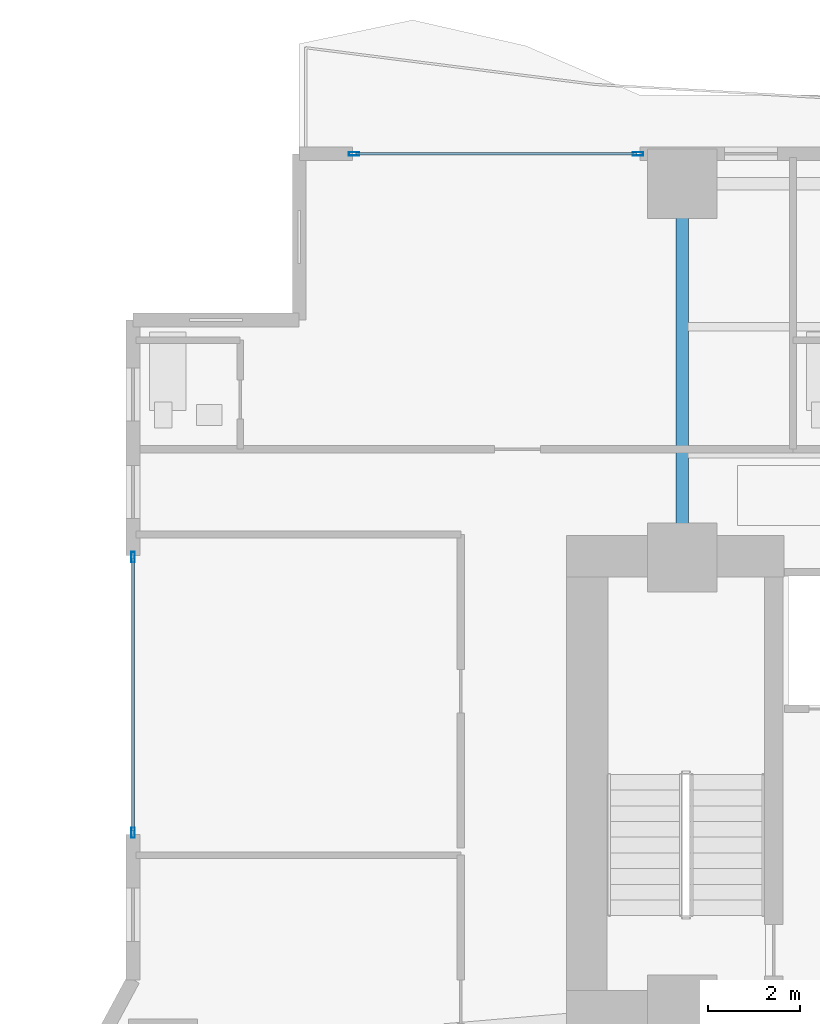
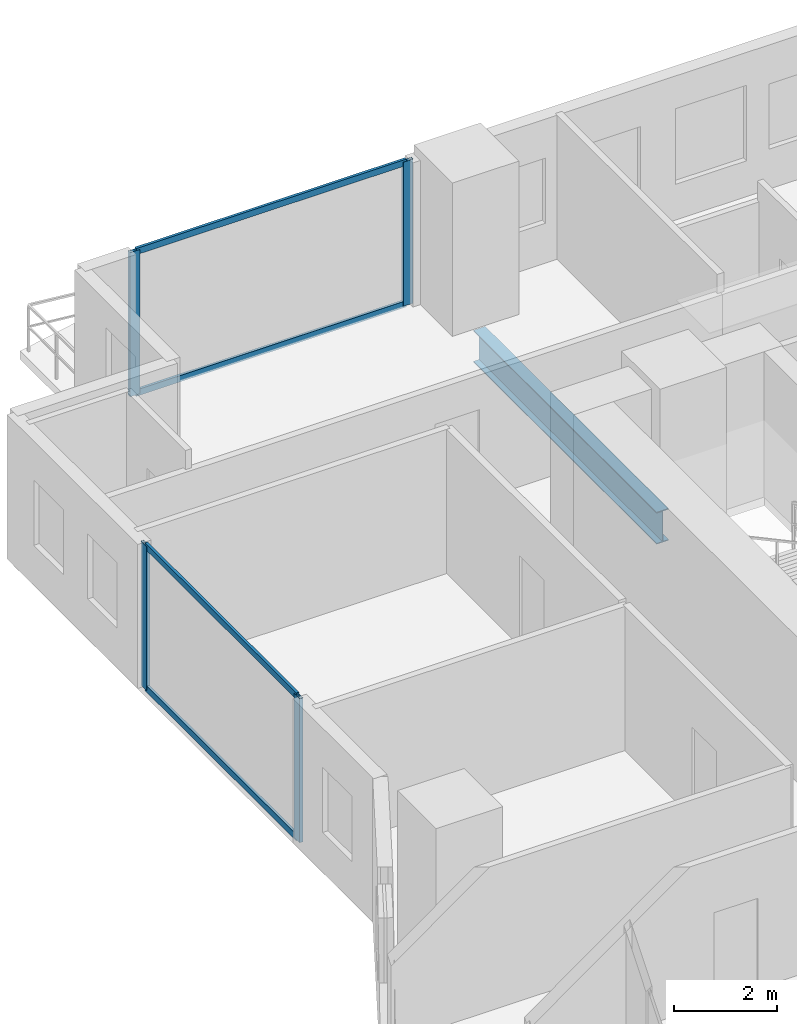
# One storey, part 13 of 28: 8 members, 1 beam, 2 elements without a shape of their own.
"""IFC4 building model written with IfcOpenShell, lengths in metres."""

import ifcopenshell
import ifcopenshell.guid

model = None  # the IFC model being written
_history = None  # IfcOwnerHistory: only IFC2X3 demands one
_inside = {}  # id of a spatial element -> (the spatial element, [elements in it])
_under = {}  # id of a project, library or spatial element -> (it, [spatial elements below it])
_declared = {}  # id of a project -> (the project, [libraries it declares])
_typed = {}  # id of a type object -> (the type object, [elements of that type])
_made_of = {}  # id of a material, layer set ... -> (it, [elements and type objects made of it])


def new_model(schema):
    """Start an empty IFC model of exactly this schema.

    Asked for "IFC4X3", IfcOpenShell would pick the latest addendum, in which some entities
    have other attributes; the version numbers below select the first issue.
    IFC2X3 requires an IfcOwnerHistory on every rooted entity: one is made here for all.
    """
    global model, _history
    if schema == "IFC4X3":
        model = ifcopenshell.file(schema_version=(4, 3, 0, 0))
    else:
        model = ifcopenshell.file(schema=schema)
    _inside.clear()
    _under.clear()
    _declared.clear()
    _typed.clear()
    _made_of.clear()
    _history = None
    if model.schema == "IFC2X3":
        org = make("IfcOrganization", Name="unknown")
        user = make(
            "IfcPersonAndOrganization",
            ThePerson=make("IfcPerson", FamilyName="unknown"),
            TheOrganization=org,
        )
        app = make(
            "IfcApplication",
            ApplicationDeveloper=org,
            Version="unknown",
            ApplicationFullName="unknown",
            ApplicationIdentifier="unknown",
        )
        _history = make(
            "IfcOwnerHistory",
            OwningUser=user,
            OwningApplication=app,
            ChangeAction="ADDED",
            CreationDate=0,
        )
    return model


def make(cls, **values):
    """One entity of the class cls with the attributes given. An attribute that is None is left unset."""
    return model.create_entity(
        cls, **{name: value for name, value in values.items() if value is not None}
    )


def rooted(cls, **values):
    """An entity with a GlobalId (a new one), such as an element, a storey or a relation."""
    return make(cls, GlobalId=ifcopenshell.guid.new(), OwnerHistory=_history, **values)


def si_unit(unit_type, name, prefix=None):
    """IfcSIUnit, for example si_unit("LENGTHUNIT", "METRE", prefix="MILLI")."""
    return make("IfcSIUnit", UnitType=unit_type, Prefix=prefix, Name=name)


def assignment(units):
    """IfcUnitAssignment: the units of a project."""
    return None if units is None else make("IfcUnitAssignment", Units=units)


def point(xyz):
    """IfcCartesianPoint."""
    return None if xyz is None else make("IfcCartesianPoint", Coordinates=xyz)


def direction(xyz):
    """IfcDirection."""
    return None if xyz is None else make("IfcDirection", DirectionRatios=xyz)


def frame(location, z_axis=None, x_axis=None):
    """IfcAxis2Placement3D, a coordinate frame: its origin and axes. An axis left out is left unset."""
    return make(
        "IfcAxis2Placement3D",
        Location=point(location),
        Axis=direction(z_axis),
        RefDirection=direction(x_axis),
    )


def frame_2d(location, x_axis=None):
    """IfcAxis2Placement2D, a coordinate frame in the plane: its origin and x axis."""
    return make(
        "IfcAxis2Placement2D", Location=point(location), RefDirection=direction(x_axis)
    )


def origin():
    """The frame at (0, 0, 0) with its axes left unset."""
    return frame((0.0, 0.0, 0.0))


def origin_2d():
    """The frame at (0, 0) in the plane with its x axis left unset."""
    return frame_2d((0.0, 0.0))


def place(relative_to, where):
    """IfcLocalPlacement: puts the frame where relative to a parent placement (None: the world)."""
    return make(
        "IfcLocalPlacement", PlacementRelTo=relative_to, RelativePlacement=where
    )


def context(
    kind, dimensions, precision=None, world=None, true_north=None, identifier=None
):
    """IfcGeometricRepresentationContext, for example the 3D "Model" context."""
    return make(
        "IfcGeometricRepresentationContext",
        ContextIdentifier=identifier,
        ContextType=kind,
        CoordinateSpaceDimension=dimensions,
        Precision=precision,
        WorldCoordinateSystem=world,
        TrueNorth=true_north,
    )


def subcontext(parent, identifier, kind, view, scale=None):
    """IfcGeometricRepresentationSubContext, for example "Body" below "Model"."""
    return make(
        "IfcGeometricRepresentationSubContext",
        ContextIdentifier=identifier,
        ContextType=kind,
        ParentContext=parent,
        TargetScale=scale,
        TargetView=view,
    )


def project(units=None, contexts=None):
    """IfcProject with its units and contexts."""
    return rooted(
        "IfcProject",
        Name="project",
        RepresentationContexts=contexts,
        UnitsInContext=assignment(units),
    )


def spatial(cls, under=None, at=None, **own):
    """A site, building, storey or space (cls), placed at a placement, below another one or the project."""
    s = rooted(cls, ObjectPlacement=at, **own)
    if under is not None:
        _under.setdefault(under.id(), (under, []))[1].append(s)
    return s


def profile(cls, at=None, kind="AREA", **sizes):
    """A parametric profile (cls). Its sizes go by their IFC names, for example OverallWidth=200.0."""
    return make(cls, ProfileType=kind, Position=at, **sizes)


def hollow_rectangle(**sizes):
    """IfcRectangleHollowProfileDef."""
    return profile("IfcRectangleHollowProfileDef", **sizes)


def i_section(**sizes):
    """IfcIShapeProfileDef."""
    return profile("IfcIShapeProfileDef", **sizes)


def extrude(swept, where, along, depth):
    """IfcExtrudedAreaSolid: the profile swept, set in the frame where, extruded along a direction by depth."""
    return make(
        "IfcExtrudedAreaSolid",
        SweptArea=swept,
        Position=where,
        ExtrudedDirection=direction(along),
        Depth=depth,
    )


def shape(context_of_items, identifier, shape_type, items):
    """IfcShapeRepresentation: the items that make up one representation, for example the "Body"."""
    return make(
        "IfcShapeRepresentation",
        ContextOfItems=context_of_items,
        RepresentationIdentifier=identifier,
        RepresentationType=shape_type,
        Items=items,
    )


def material(Name=None, Category=None):
    """IfcMaterial."""
    return make("IfcMaterial", Name=Name, Category=Category)


def layer(
    of_material, thickness, ventilated=None, Name=None, Category=None, Priority=None
):
    """IfcMaterialLayer: one layer of a wall or slab, of a material (None: an air gap)."""
    return make(
        "IfcMaterialLayer",
        Material=of_material,
        LayerThickness=thickness,
        IsVentilated=ventilated,
        Name=Name,
        Category=Category,
        Priority=Priority,
    )


def layer_set(layers, Name=None):
    """IfcMaterialLayerSet."""
    return make("IfcMaterialLayerSet", MaterialLayers=layers, LayerSetName=Name)


def material_profile(
    of_material, cross_section, Name=None, Category=None, Priority=None
):
    """IfcMaterialProfile: a cross section and its material."""
    return make(
        "IfcMaterialProfile",
        Name=Name,
        Material=of_material,
        Profile=cross_section,
        Priority=Priority,
        Category=Category,
    )


def profile_set(profiles, Name=None, composite=None):
    """IfcMaterialProfileSet."""
    return make(
        "IfcMaterialProfileSet",
        Name=Name,
        MaterialProfiles=profiles,
        CompositeProfile=composite,
    )


def made_of(thing, what):
    """Note that an element or type object is made of a material, layer set ...; save() writes the relation."""
    if what is not None:
        _made_of.setdefault(what.id(), (what, []))[1].append(thing)
    return thing


def type_object(cls, material=None, **own):
    """A type object (cls), such as IfcWallType, which elements share."""
    return made_of(rooted(cls, **own), material)


def element(
    cls,
    number,
    at=None,
    inside=None,
    cuts=None,
    type_object=None,
    material=None,
    context=None,
    identifier="Body",
    shape_type=None,
    held_by="IfcProductDefinitionShape",
    body=None,
    shapes=None,
    **own,
):
    """One element of the class cls, such as IfcWall. Its Tag is "e" and its number.

    at: its placement. inside: the storey or other place that contains it. cuts: it is an
    opening in that element (IfcRelVoidsElement). A single representation is given by context,
    identifier, shape_type and body (its items); several are given by shapes. held_by: the class
    of the entity that holds the representations. save() writes the other relations.
    """
    e = rooted(cls, Tag="e%d" % number, ObjectPlacement=at, **own)
    if body is not None:
        shapes = [shape(context, identifier, shape_type, body)]
    if shapes is not None:
        e.Representation = make(held_by, Representations=shapes)
    if inside is not None:
        _inside.setdefault(inside.id(), (inside, []))[1].append(e)
    if cuts is not None:
        rooted(
            "IfcRelVoidsElement", RelatingBuildingElement=cuts, RelatedOpeningElement=e
        )
    if type_object is not None:
        _typed.setdefault(type_object.id(), (type_object, []))[1].append(e)
    return made_of(e, material)


def aggregate(whole, parts):
    """IfcRelAggregates: a whole, such as a stair, and the parts it consists of."""
    return rooted("IfcRelAggregates", RelatingObject=whole, RelatedObjects=parts)


def save(model, path):
    """Write the relations noted so far, then the file.

    IfcRelAggregates (storeys below a building ...), IfcRelContainedInSpatialStructure (elements
    in a storey), IfcRelDefinesByType, IfcRelAssociatesMaterial and IfcRelDeclares: one each for
    every whole, place, type object, material and project.
    """
    for whole, parts in _under.values():
        aggregate(whole, parts)
    for where, things in _inside.values():
        rooted(
            "IfcRelContainedInSpatialStructure",
            RelatedElements=things,
            RelatingStructure=where,
        )
    for kind, things in _typed.values():
        rooted("IfcRelDefinesByType", RelatedObjects=things, RelatingType=kind)
    for what, things in _made_of.values():
        rooted("IfcRelAssociatesMaterial", RelatedObjects=things, RelatingMaterial=what)
    for by, libraries in _declared.values():
        rooted("IfcRelDeclares", RelatingContext=by, RelatedDefinitions=libraries)
    model.write(path)


model = new_model("IFC4")

# Units and contexts
model_context = context("Model", 3, precision=1e-05, world=origin(), true_north=direction((0.0, 1.0)))
body_context = subcontext(model_context, "Body", "Model", "MODEL_VIEW")
ifc_project = project(units=[si_unit("LENGTHUNIT", "METRE"), si_unit("AREAUNIT", "SQUARE_METRE"), si_unit("VOLUMEUNIT", "CUBIC_METRE"), si_unit("PLANEANGLEUNIT", "RADIAN"), si_unit("MASSUNIT", "GRAM", prefix="KILO")], contexts=[model_context])

# Site, building, storey
site_placement = place(None, origin())
site = spatial("IfcSite", under=ifc_project, at=site_placement, CompositionType="ELEMENT")
building_placement = place(site_placement, origin())
building = spatial("IfcBuilding", under=site, at=building_placement, Name="Zuhayl Quay Hotel", CompositionType="ELEMENT")
storey_placement = place(building_placement, frame((0.0, 0.0, 75.050048828125)))
storey = spatial("IfcBuildingStorey", under=building, at=storey_placement, Name="L18", CompositionType="ELEMENT", Elevation=75.050048828125)

# Beam
ifc_material_1 = material(Name="Steel ASTM A992 Grade 50", Category="steel")
ifc_material_profile_1 = material_profile(ifc_material_1, i_section(OverallWidth=0.26708984375, OverallDepth=0.761962890625, WebThickness=0.014404296875, FlangeThickness=0.021484375, at=origin_2d()), Name="W30X116")
ifc_profile_set_1 = profile_set([ifc_material_profile_1], Name="Steel ASTM A992 Grade 50")
beam_type = type_object("IfcBeamType", Name="BM_B1_W30X116", PredefinedType="BEAM", material=ifc_profile_set_1)
beam_placement = place(storey_placement, frame((-13.800048828125, 14.800048828125, -0.60107421875), z_axis=(0.0, 1.0, 0.0), x_axis=(-1.0, 0.0, 0.0)))
element("IfcBeam", 1, at=beam_placement, inside=storey, type_object=beam_type, Name="L18 Floor Beam FG_N_L18_1", PredefinedType="BEAM", context=body_context, shape_type="SweptSolid", body=[
    extrude(i_section(OverallWidth=0.26708984375, OverallDepth=0.761962890625, WebThickness=0.014404296875, FlangeThickness=0.021484375, at=origin_2d()), origin(), (0.0, 0.0, 1.0), 7.14990234375),
])

# Curtain wall, members
ifc_material_2 = material(Name="Anodised Aluminium 6063-T6", Category="aluminium")
ifc_layer = layer(ifc_material_2, 0.18994140625, Name="Anodised Aluminium 6063-T6", Category="aluminium")
ifc_layer_set = layer_set([ifc_layer], Name="Anodised Aluminium 6063-T6")
curtain_wall_type = type_object("IfcCurtainWallType", Name="CW_SYS_Z1", PredefinedType="USERDEFINED", material=ifc_layer_set)
curtain_wall_1_placement = place(storey_placement, origin())
curtain_wall_1 = element("IfcCurtainWall", 2, at=curtain_wall_1_placement, inside=storey, type_object=curtain_wall_type, Name="L18 Curtain Wall ENV_L18_E05_CW1", ObjectType="UNITISED CURTAIN WALL", PredefinedType="USERDEFINED")
ifc_material_3 = material(Name="Black-anodised aluminium 6063-T6", Category="aluminium")
ifc_material_profile_2 = material_profile(ifc_material_3, hollow_rectangle(XDim=0.074951171875, YDim=0.219970703125, WallThickness=0.00390625, at=origin_2d()), Name="ALU220X75")
ifc_profile_set_2 = profile_set([ifc_material_profile_2], Name="Black-anodised aluminium 6063-T6")
member_type_1 = type_object("IfcMemberType", Name="MB_CW_MUL_220", PredefinedType="MULLION", material=ifc_profile_set_2)
member_1_placement = place(storey_placement, frame((-25.699951171875, 8.387451171875, 0.0), z_axis=(0.0, 0.0, 1.0), x_axis=(-1.0, 0.0, 0.0)))
member_1 = element("IfcMember", 3, at=member_1_placement, type_object=member_type_1, Name="CW-Z1 mullion 1", PredefinedType="MULLION", context=body_context, shape_type="SweptSolid", body=[
    extrude(hollow_rectangle(XDim=0.074951171875, YDim=0.219970703125, WallThickness=0.00390625, at=origin_2d()), origin(), (0.0, 0.0, 1.0), 3.429931640625),
])
member_2_placement = place(storey_placement, frame((-25.699951171875, 14.362548828125, 0.0), z_axis=(0.0, 0.0, 1.0), x_axis=(-1.0, 0.0, 0.0)))
member_2 = element("IfcMember", 4, at=member_2_placement, type_object=member_type_1, Name="CW-Z1 mullion 2", PredefinedType="MULLION", context=body_context, shape_type="SweptSolid", body=[
    extrude(hollow_rectangle(XDim=0.074951171875, YDim=0.219970703125, WallThickness=0.00390625, at=origin_2d()), origin(), (0.0, 0.0, 1.0), 3.429931640625),
])

curtain_wall_2_placement = place(storey_placement, origin())
curtain_wall_2 = element("IfcCurtainWall", 5, at=curtain_wall_2_placement, inside=storey, type_object=curtain_wall_type, Name="L18 Curtain Wall ENV_L18_N_CW1", ObjectType="UNITISED CURTAIN WALL", PredefinedType="USERDEFINED")
member_3_placement = place(storey_placement, frame((-20.91259765625, 23.10009765625, 0.0), z_axis=(0.0, 0.0, 1.0), x_axis=(0.0, 1.0, 0.0)))
member_3 = element("IfcMember", 6, at=member_3_placement, type_object=member_type_1, Name="CW-Z1 mullion 1", PredefinedType="MULLION", context=body_context, shape_type="SweptSolid", body=[
    extrude(hollow_rectangle(XDim=0.074951171875, YDim=0.219970703125, WallThickness=0.00390625, at=origin_2d()), origin(), (0.0, 0.0, 1.0), 3.429931640625),
])
member_4_placement = place(storey_placement, frame((-14.757568359375, 23.10009765625, 0.0), z_axis=(0.0, 0.0, 1.0), x_axis=(0.0, 1.0, 0.0)))
member_4 = element("IfcMember", 7, at=member_4_placement, type_object=member_type_1, Name="CW-Z1 mullion 2", PredefinedType="MULLION", context=body_context, shape_type="SweptSolid", body=[
    extrude(hollow_rectangle(XDim=0.074951171875, YDim=0.219970703125, WallThickness=0.00390625, at=origin_2d()), origin(), (0.0, 0.0, 1.0), 3.429931640625),
])

# Member
ifc_material_profile_3 = material_profile(ifc_material_3, hollow_rectangle(XDim=0.06005859375, YDim=0.14990234375, WallThickness=0.00341796875, at=origin_2d()), Name="ALU150X60")
ifc_profile_set_3 = profile_set([ifc_material_profile_3], Name="Black-anodised aluminium 6063-T6")
member_type_2 = type_object("IfcMemberType", Name="MB_CW_TRN_150", PredefinedType="USERDEFINED", material=ifc_profile_set_3)
member_5_placement = place(storey_placement, frame((-25.699951171875, 8.425048828125, 0.030029296875), z_axis=(0.0, 1.0, 0.0), x_axis=(-1.0, 0.0, 0.0)))
member_5 = element("IfcMember", 8, at=member_5_placement, type_object=member_type_2, Name="CW-Z1 transom 1.1", ObjectType="TRANSOM", PredefinedType="USERDEFINED", context=body_context, shape_type="SweptSolid", body=[
    extrude(hollow_rectangle(XDim=0.06005859375, YDim=0.14990234375, WallThickness=0.00341796875, at=origin_2d()), origin(), (0.0, 0.0, 1.0), 5.89990234375),
])

member_6_placement = place(storey_placement, frame((-25.699951171875, 8.425048828125, 3.39990234375), z_axis=(0.0, 1.0, 0.0), x_axis=(-1.0, 0.0, 0.0)))
member_6 = element("IfcMember", 9, at=member_6_placement, type_object=member_type_2, Name="CW-Z1 transom 1.2", ObjectType="TRANSOM", PredefinedType="USERDEFINED", context=body_context, shape_type="SweptSolid", body=[
    extrude(hollow_rectangle(XDim=0.06005859375, YDim=0.14990234375, WallThickness=0.00341796875, at=origin_2d()), origin(), (0.0, 0.0, 1.0), 5.89990234375),
])

aggregate(curtain_wall_1, [member_1, member_2, member_5, member_6])

member_7_placement = place(storey_placement, frame((-20.875, 23.10009765625, 0.030029296875), z_axis=(1.0, 0.0, 0.0), x_axis=(0.0, 1.0, 0.0)))
member_7 = element("IfcMember", 10, at=member_7_placement, type_object=member_type_2, Name="CW-Z1 transom 1.1", ObjectType="TRANSOM", PredefinedType="USERDEFINED", context=body_context, shape_type="SweptSolid", body=[
    extrude(hollow_rectangle(XDim=0.06005859375, YDim=0.14990234375, WallThickness=0.00341796875, at=origin_2d()), origin(), (0.0, 0.0, 1.0), 6.080078125),
])

member_8_placement = place(storey_placement, frame((-20.875, 23.10009765625, 3.39990234375), z_axis=(1.0, 0.0, 0.0), x_axis=(0.0, 1.0, 0.0)))
member_8 = element("IfcMember", 11, at=member_8_placement, type_object=member_type_2, Name="CW-Z1 transom 1.2", ObjectType="TRANSOM", PredefinedType="USERDEFINED", context=body_context, shape_type="SweptSolid", body=[
    extrude(hollow_rectangle(XDim=0.06005859375, YDim=0.14990234375, WallThickness=0.00341796875, at=origin_2d()), origin(), (0.0, 0.0, 1.0), 6.080078125),
])

aggregate(curtain_wall_2, [member_3, member_4, member_7, member_8])

save(model, "model.ifc")
